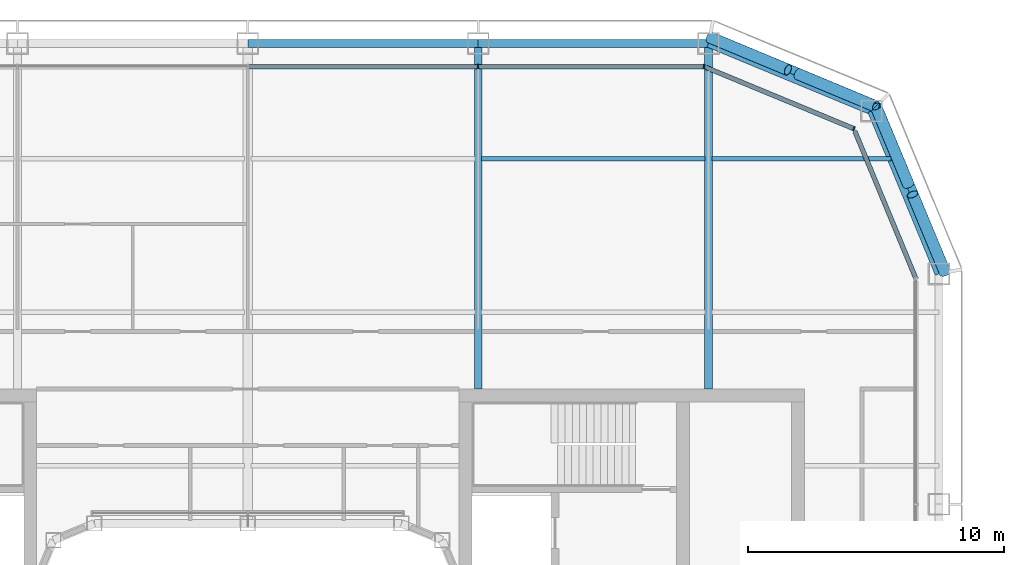
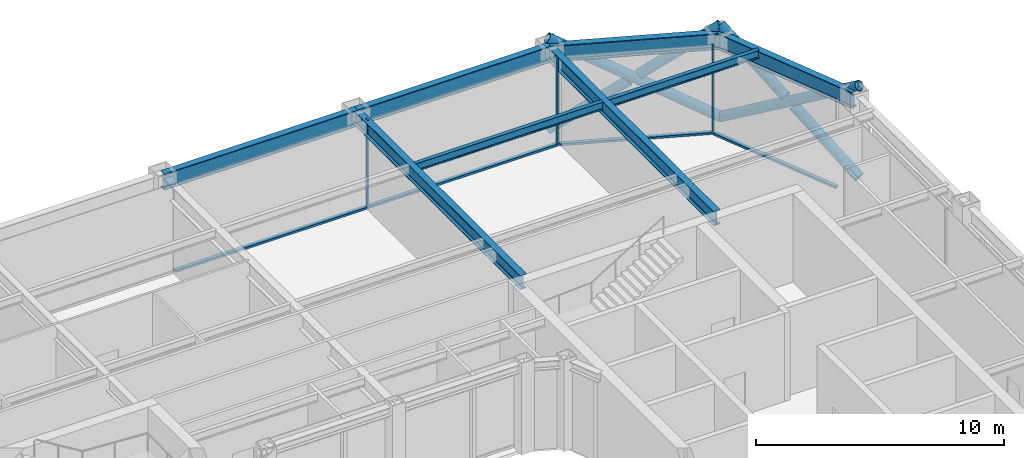
# One storey, part 10 of 22: 13 members, 8 beams, 3 elements without a shape of their own.
"""IFC4 building model written with IfcOpenShell, lengths in metres."""

from ifc_helpers import new_model, si_unit, direction, frame, origin, origin_2d, place, context, subcontext, project, spatial, rectangle, hollow_circle, i_section, extrude, material, layer, layer_set, material_profile, profile_set, type_object, element, aggregate, save


model = new_model("IFC4")

# Units and contexts
model_context = context("Model", 3, precision=1e-05, world=origin(), true_north=direction((0.0, 1.0)))
body_context = subcontext(model_context, "Body", "Model", "MODEL_VIEW")
ifc_project = project(units=[si_unit("LENGTHUNIT", "METRE"), si_unit("AREAUNIT", "SQUARE_METRE"), si_unit("VOLUMEUNIT", "CUBIC_METRE"), si_unit("PLANEANGLEUNIT", "RADIAN"), si_unit("MASSUNIT", "GRAM", prefix="KILO")], contexts=[model_context])

# Site, building, storey
site_placement = place(None, origin())
site = spatial("IfcSite", under=ifc_project, at=site_placement, CompositionType="ELEMENT")
building_placement = place(site_placement, origin())
building = spatial("IfcBuilding", under=site, at=building_placement, Name="Siwar Civic Tower", CompositionType="ELEMENT")
storey_placement = place(building_placement, frame((0.0, 0.0, 219.699951171875)))
storey = spatial("IfcBuildingStorey", under=building, at=storey_placement, Name="L47", CompositionType="ELEMENT", Elevation=219.699951171875)

# Curtain wall, member
ifc_material_1 = material(Name="Aluminium clad insulated panel", Category="aluminium")
ifc_layer_1 = layer(ifc_material_1, 0.179931640625)
ifc_layer_set_1 = layer_set([ifc_layer_1], Name="Aluminium clad insulated panel")
curtain_wall_type_1 = type_object("IfcCurtainWallType", Name="ENV-CW-CX", PredefinedType="NOTDEFINED", material=ifc_layer_set_1)
curtain_wall_1_placement = place(storey_placement, origin())
curtain_wall_1 = element("IfcCurtainWall", 1, at=curtain_wall_1_placement, inside=storey, type_object=curtain_wall_type_1, Name="Curtain wall C NE2", PredefinedType="NOTDEFINED")
ifc_material_2 = material(Name="Aluminium 6063-T6", Category="aluminium")
ifc_material_profile_1 = material_profile(ifc_material_2, rectangle(XDim=0.179931640625, YDim=0.06005859375, at=origin_2d()), Name="AL 180x60")
ifc_profile_set_1 = profile_set([ifc_material_profile_1], Name="Aluminium 6063-T6")
member_type_1 = type_object("IfcMemberType", Name="ENV-MULLION-C", PredefinedType="MULLION", material=ifc_profile_set_1)
member_1_placement = place(storey_placement, frame((23.675048828125, 23.675048828125, 0.0), z_axis=(0.0, 0.0, 1.0), x_axis=(-0.382683432365, -0.923879532511, 0.0)))
member_1 = element("IfcMember", 2, at=member_1_placement, type_object=member_type_1, Name="Mullion C NE2 1", PredefinedType="MULLION", context=body_context, shape_type="SweptSolid", body=[
    extrude(rectangle(XDim=0.179931640625, YDim=0.06005859375, at=origin_2d()), origin(), (0.0, 0.0, 1.0), 4.35009765625),
])

# Curtain wall, members
ifc_material_3 = material(Name="Aluminium and glass", Category="aluminium")
ifc_layer_2 = layer(ifc_material_3, 0.179931640625)
ifc_layer_set_2 = layer_set([ifc_layer_2], Name="Aluminium and glass")
curtain_wall_type_2 = type_object("IfcCurtainWallType", Name="ENV-CW-C", PredefinedType="NOTDEFINED", material=ifc_layer_set_2)
curtain_wall_2_placement = place(storey_placement, origin())
curtain_wall_2 = element("IfcCurtainWall", 3, at=curtain_wall_2_placement, inside=storey, type_object=curtain_wall_type_2, Name="Curtain wall C N", PredefinedType="NOTDEFINED")
member_2_placement = place(storey_placement, frame((17.821044921875, 26.10009765625, 0.0), z_axis=(0.0, 0.0, 1.0), x_axis=(0.0, -1.0, 0.0)))
member_2 = element("IfcMember", 4, at=member_2_placement, type_object=member_type_1, Name="Mullion C N 1", PredefinedType="MULLION", context=body_context, shape_type="SweptSolid", body=[
    extrude(rectangle(XDim=0.179931640625, YDim=0.06005859375, at=origin_2d()), origin(), (0.0, 0.0, 1.0), 4.35009765625),
])
member_3_placement = place(storey_placement, frame((9.0, 26.10009765625, 0.0), z_axis=(0.0, 0.0, 1.0), x_axis=(0.0, -1.0, 0.0)))
member_3 = element("IfcMember", 5, at=member_3_placement, type_object=member_type_1, Name="Mullion C N 2", PredefinedType="MULLION", context=body_context, shape_type="SweptSolid", body=[
    extrude(rectangle(XDim=0.179931640625, YDim=0.06005859375, at=origin_2d()), origin(), (0.0, 0.0, 1.0), 4.35009765625),
])

# Curtain wall, member
curtain_wall_3_placement = place(storey_placement, origin())
curtain_wall_3 = element("IfcCurtainWall", 6, at=curtain_wall_3_placement, inside=storey, type_object=curtain_wall_type_1, Name="Curtain wall C NE1", PredefinedType="NOTDEFINED")
ifc_material_4 = material(Name="Aluminium 6063-T6", Category="aluminium")
ifc_material_profile_2 = material_profile(ifc_material_4, rectangle(XDim=0.179931640625, YDim=0.10009765625, at=origin_2d()), Name="AL 180x100")
ifc_profile_set_2 = profile_set([ifc_material_profile_2], Name="Aluminium 6063-T6")
member_type_2 = type_object("IfcMemberType", Name="ENV-TRANSOM-C", PredefinedType="USERDEFINED", material=ifc_profile_set_2)
member_4_placement = place(storey_placement, frame((26.088623046875, 17.8486328125, 0.050048828125), z_axis=(-0.38267744817, 0.923882011223, 0.0), x_axis=(-0.923882011223, -0.38267744817, 0.0)))
member_4 = element("IfcMember", 7, at=member_4_placement, type_object=member_type_2, Name="Transom C NE1 1", ObjectType="TRANSOM", PredefinedType="USERDEFINED", context=body_context, shape_type="SweptSolid", body=[
    extrude(rectangle(XDim=0.179931640625, YDim=0.10009765625, at=origin_2d()), origin(), (0.0, 0.0, 1.0), 6.201904296875),
])
aggregate(curtain_wall_3, [member_4])

# Member
member_5_placement = place(storey_placement, frame((23.6474609375, 23.6865234375, 0.050048828125), z_axis=(-0.923876246063, 0.382691366456, 0.0), x_axis=(-0.382691366456, -0.923876246063, 0.0)))
member_5 = element("IfcMember", 8, at=member_5_placement, type_object=member_type_2, Name="Transom C NE2 1", ObjectType="TRANSOM", PredefinedType="USERDEFINED", context=body_context, shape_type="SweptSolid", body=[
    extrude(rectangle(XDim=0.179931640625, YDim=0.10009765625, at=origin_2d()), origin(), (0.0, 0.0, 1.0), 6.20166015625),
])

aggregate(curtain_wall_1, [member_1, member_5])

member_6_placement = place(storey_placement, frame((17.791015625, 26.10009765625, 0.050048828125), z_axis=(-1.0, 0.0, 0.0), x_axis=(0.0, -1.0, 0.0)))
member_6 = element("IfcMember", 9, at=member_6_placement, type_object=member_type_2, Name="Transom C N 1", ObjectType="TRANSOM", PredefinedType="USERDEFINED", context=body_context, shape_type="SweptSolid", body=[
    extrude(rectangle(XDim=0.179931640625, YDim=0.10009765625, at=origin_2d()), origin(), (0.0, 0.0, 1.0), 8.760986328125),
])

member_7_placement = place(storey_placement, frame((8.969970703125, 26.10009765625, 0.050048828125), z_axis=(-1.0, 0.0, 0.0), x_axis=(0.0, -1.0, 0.0)))
member_7 = element("IfcMember", 10, at=member_7_placement, type_object=member_type_2, Name="Transom C N 2", ObjectType="TRANSOM", PredefinedType="USERDEFINED", context=body_context, shape_type="SweptSolid", body=[
    extrude(rectangle(XDim=0.179931640625, YDim=0.10009765625, at=origin_2d()), origin(), (0.0, 0.0, 1.0), 8.93994140625),
])

aggregate(curtain_wall_2, [member_2, member_3, member_6, member_7])

# Members
ifc_material_5 = material(Name="Steel S355", Category="steel")
ifc_material_profile_3 = material_profile(ifc_material_5, hollow_circle(Radius=0.228515625, WallThickness=0.02001953125, at=origin_2d()), Name="CHS457x20")
ifc_profile_set_3 = profile_set([ifc_material_profile_3], Name="Steel S355")
member_type_3 = type_object("IfcMemberType", Name="STR-BR-CHS457x20", PredefinedType="BRACE", material=ifc_profile_set_3)
member_8_placement = place(storey_placement, frame((24.540771484375, 24.540771484375, 0.0), z_axis=(-0.777554562952, 0.323905527954, 0.538975055633), x_axis=(-0.384538969033, -0.923108759191, 0.0)))
element("IfcMember", 11, at=member_8_placement, inside=storey, type_object=member_type_3, Name="L47/brc/CNE1-7-0-1", PredefinedType="BRACE", context=body_context, shape_type="SweptSolid", body=[
    extrude(hollow_circle(Radius=0.228515625, WallThickness=0.02001953125, at=origin_2d()), origin(), (0.0, 0.0, 1.0), 8.34912109375),
])
for number, where, z_axis, x_axis, name in (
    (12, (18.048828125, 27.2451171875, 0.0), (0.777546448489, -0.323884455881, 0.538999424564), (0.38452107079, 0.92311621485, 0.0), "L47/brc/CNE1-7-0-2"),
    (13, (21.486572265625, 25.81298828125, 2.383056640625), (0.777572496853, -0.323895306243, 0.538955325357), (0.38452107079, 0.92311621485, 0.0), "L47/brc/CNE1-7-0-3"),
):
    element("IfcMember", number, at=place(storey_placement, frame(where, z_axis=z_axis, x_axis=x_axis)), inside=storey, type_object=member_type_3, Name=name, PredefinedType="BRACE", context=body_context, shape_type="SweptSolid", body=[
        extrude(hollow_circle(Radius=0.228515625, WallThickness=0.02001953125, at=origin_2d()), origin(), (0.0, 0.0, 1.0), 3.927978515625),
    ])
member_9_placement = place(storey_placement, frame((24.540771484375, 24.540771484375, 0.0), z_axis=(0.323905527954, -0.777554562952, 0.538975055633), x_axis=(0.923108759191, 0.384538969033, 0.0)))
element("IfcMember", 14, at=member_9_placement, inside=storey, type_object=member_type_3, Name="L47/brc/CNE1-7-0-0", PredefinedType="BRACE", context=body_context, shape_type="SweptSolid", body=[
    extrude(hollow_circle(Radius=0.228515625, WallThickness=0.02001953125, at=origin_2d()), origin(), (0.0, 0.0, 1.0), 8.34912109375),
])
for number, where, z_axis, x_axis, name in (
    (15, (27.2451171875, 18.048828125, 0.0), (-0.323884455881, 0.777546448489, 0.538999424564), (-0.92311621485, -0.38452107079, 0.0), "L47/brc/CNE1-7-0-4"),
    (16, (25.81298828125, 21.486572265625, 2.383056640625), (-0.323895306243, 0.777572496853, 0.538955325357), (-0.92311621485, -0.38452107079, 0.0), "L47/brc/CNE1-7-0-5"),
):
    element("IfcMember", number, at=place(storey_placement, frame(where, z_axis=z_axis, x_axis=x_axis)), inside=storey, type_object=member_type_3, Name=name, PredefinedType="BRACE", context=body_context, shape_type="SweptSolid", body=[
        extrude(hollow_circle(Radius=0.228515625, WallThickness=0.02001953125, at=origin_2d()), origin(), (0.0, 0.0, 1.0), 3.927978515625),
    ])

# Beams
ifc_material_6 = material(Name="Steel S355", Category="steel")
ifc_material_profile_4 = material_profile(ifc_material_6, i_section(OverallWidth=0.179931640625, OverallDepth=0.39990234375, WebThickness=0.008544921875, FlangeThickness=0.013427734375, FilletRadius=0.02099609375, at=origin_2d()), Name="IPE400")
ifc_profile_set_4 = profile_set([ifc_material_profile_4], Name="Steel S355")
beam_type_1 = type_object("IfcBeamType", Name="STR-FB-IPE400", PredefinedType="JOIST", material=ifc_profile_set_4)
beam_1_placement = place(storey_placement, frame((9.1298828125, 22.5, 4.150146484375), z_axis=(1.0, 0.0, 0.0), x_axis=(0.0, 1.0, 0.0)))
element("IfcBeam", 17, at=beam_1_placement, inside=storey, type_object=beam_type_1, Name="L47/bm/F041", PredefinedType="JOIST", context=body_context, shape_type="SweptSolid", body=[
    extrude(i_section(OverallWidth=0.179931640625, OverallDepth=0.39990234375, WebThickness=0.008544921875, FlangeThickness=0.013427734375, FilletRadius=0.02099609375, at=origin_2d()), origin(), (0.0, 0.0, 1.0), 8.740234375),
])
beam_2_placement = place(storey_placement, frame((18.1298828125, 22.5, 4.150146484375), z_axis=(1.0, 0.0, 0.0), x_axis=(0.0, 1.0, 0.0)))
element("IfcBeam", 18, at=beam_2_placement, inside=storey, type_object=beam_type_1, Name="L47/bm/F042", PredefinedType="JOIST", context=body_context, shape_type="SweptSolid", body=[
    extrude(i_section(OverallWidth=0.179931640625, OverallDepth=0.39990234375, WebThickness=0.008544921875, FlangeThickness=0.013427734375, FilletRadius=0.02099609375, at=origin_2d()), origin(), (0.0, 0.0, 1.0), 7.006103515625),
])
ifc_material_7 = material(Name="Steel S355", Category="steel")
ifc_material_profile_5 = material_profile(ifc_material_7, i_section(OverallWidth=0.300048828125, OverallDepth=0.699951171875, WebThickness=0.01708984375, FlangeThickness=0.031982421875, FilletRadius=0.027099609375, at=origin_2d()), Name="HEB700")
ifc_profile_set_5 = profile_set([ifc_material_profile_5], Name="Steel S355")
beam_type_2 = type_object("IfcBeamType", Name="STR-PG-HEB700", PredefinedType="BEAM", material=ifc_profile_set_5)
for number, where, z_axis, x_axis, name in (
    (19, (9.0, 13.5, 4.0), (0.0, 1.0, 0.0), (-1.0, 0.0, 0.0), "L47/bm/G08"),
    (20, (18.0, 13.5, 4.0), (0.0, 1.0, 0.0), (-1.0, 0.0, 0.0), "L47/bm/G10"),
):
    element("IfcBeam", number, at=place(storey_placement, frame(where, z_axis=z_axis, x_axis=x_axis)), inside=storey, type_object=beam_type_2, Name=name, PredefinedType="BEAM", context=body_context, shape_type="SweptSolid", body=[
        extrude(i_section(OverallWidth=0.300048828125, OverallDepth=0.699951171875, WebThickness=0.01708984375, FlangeThickness=0.031982421875, FilletRadius=0.027099609375, at=origin_2d()), origin(), (0.0, 0.0, 1.0), 13.5),
    ])
ifc_material_8 = material(Name="Steel S355", Category="steel")
ifc_material_profile_6 = material_profile(ifc_material_8, i_section(OverallWidth=0.300048828125, OverallDepth=0.800048828125, WebThickness=0.017578125, FlangeThickness=0.032958984375, FilletRadius=0.030029296875, at=origin_2d()), Name="HEB800")
ifc_profile_set_6 = profile_set([ifc_material_profile_6], Name="Steel S355")
beam_type_3 = type_object("IfcBeamType", Name="STR-SB-HEB800", PredefinedType="BEAM", material=ifc_profile_set_6)
for number, where, z_axis, x_axis, name in (
    (21, (27.0, 18.0, 3.949951171875), (-0.382674207535, 0.923883353507, 0.0), (-0.923883353507, -0.382674207535, 0.0), "L47/bm/SNE1-0"),
    (22, (24.364013671875, 24.364013671875, 3.949951171875), (-0.923883353507, 0.382674207535, 0.0), (-0.382674207535, -0.923883353507, 0.0), "L47/bm/SNE2-0"),
):
    element("IfcBeam", number, at=place(storey_placement, frame(where, z_axis=z_axis, x_axis=x_axis)), inside=storey, type_object=beam_type_3, Name=name, PredefinedType="BEAM", context=body_context, shape_type="SweptSolid", body=[
        extrude(i_section(OverallWidth=0.300048828125, OverallDepth=0.800048828125, WebThickness=0.017578125, FlangeThickness=0.032958984375, FilletRadius=0.030029296875, at=origin_2d()), origin(), (0.0, 0.0, 1.0), 6.888427734375),
    ])
for number, where, z_axis, x_axis, name in (
    (23, (18.0, 27.0, 3.949951171875), (-1.0, 0.0, 0.0), (0.0, -1.0, 0.0), "L47/bm/SN-0"),
    (24, (9.0, 27.0, 3.949951171875), (-1.0, 0.0, 0.0), (0.0, -1.0, 0.0), "L47/bm/SN-1"),
):
    element("IfcBeam", number, at=place(storey_placement, frame(where, z_axis=z_axis, x_axis=x_axis)), inside=storey, type_object=beam_type_3, Name=name, PredefinedType="BEAM", context=body_context, shape_type="SweptSolid", body=[
        extrude(i_section(OverallWidth=0.300048828125, OverallDepth=0.800048828125, WebThickness=0.017578125, FlangeThickness=0.032958984375, FilletRadius=0.030029296875, at=origin_2d()), origin(), (0.0, 0.0, 1.0), 9.0),
    ])

save(model, "model.ifc")
